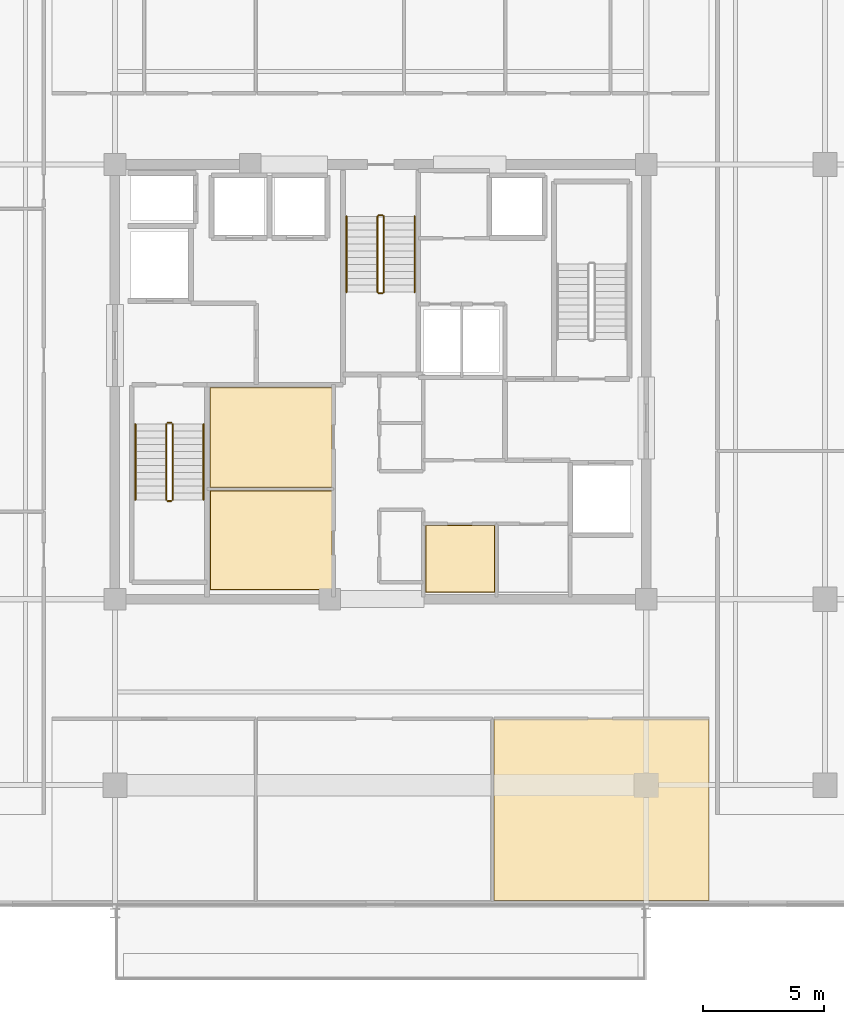
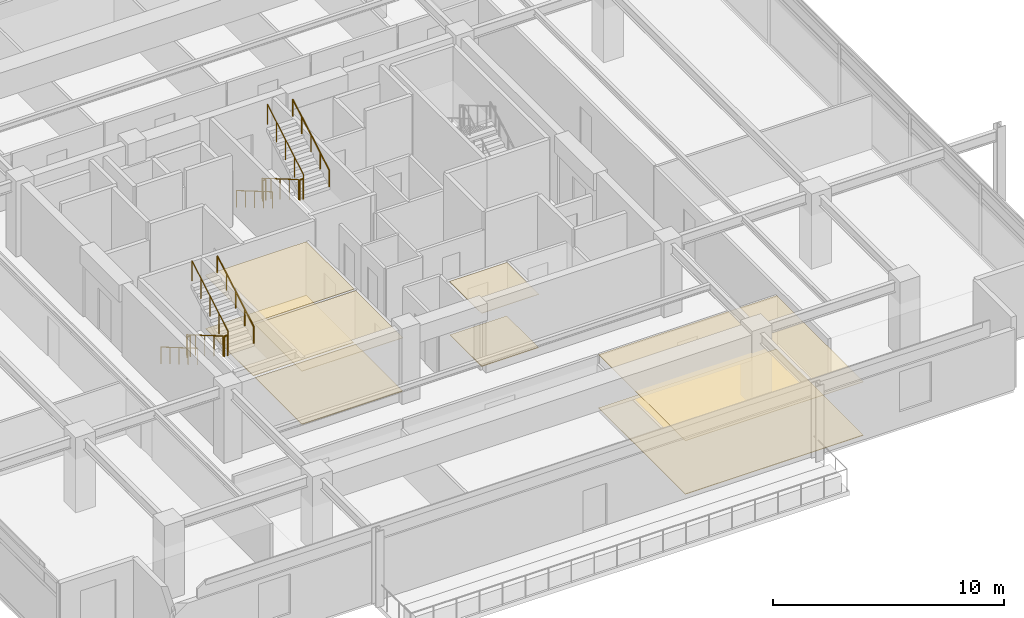
# One storey, part 19 of 21: 12 railings, 8 coverings.
"""IFC4 building model written with IfcOpenShell, lengths in metres."""

from ifc_helpers import new_model, si_unit, direction, frame, origin, origin_2d, place, context, subcontext, project, spatial, polyline, circle, outline, extrude, material, layer, layer_set, type_object, element, save


model = new_model("IFC4")

# Units and contexts
model_context = context("Model", 3, precision=1e-05, world=origin(), true_north=direction((0.0, 1.0)))
body_context = subcontext(model_context, "Body", "Model", "MODEL_VIEW")
ifc_project = project(units=[si_unit("LENGTHUNIT", "METRE"), si_unit("AREAUNIT", "SQUARE_METRE"), si_unit("VOLUMEUNIT", "CUBIC_METRE"), si_unit("PLANEANGLEUNIT", "RADIAN"), si_unit("MASSUNIT", "GRAM", prefix="KILO")], contexts=[model_context])

# Site, building, storey
site_placement = place(None, origin())
site = spatial("IfcSite", under=ifc_project, at=site_placement, CompositionType="ELEMENT")
building_placement = place(site_placement, origin())
building = spatial("IfcBuilding", under=site, at=building_placement, Name="Kovane Verandah Tower", CompositionType="ELEMENT")
storey_placement = place(building_placement, frame((0.0, 0.0, 326.800048828125)))
storey = spatial("IfcBuildingStorey", under=building, at=storey_placement, Name="L76", CompositionType="ELEMENT", Elevation=326.800048828125)

# Coverings
ifc_material_1 = material(Name="Perforated Acoustic Mineral-Fibre Ceiling Tile", Category="gypsum")
ifc_layer_1 = layer(ifc_material_1, 0.02490234375)
ifc_layer_set_1 = layer_set([ifc_layer_1], Name="Perforated Acoustic Mineral-Fibre Ceiling Tile")
covering_type_1 = type_object("IfcCoveringType", Name="CV-CEIL-25", PredefinedType="CEILING", material=ifc_layer_set_1)
covering_1_placement = place(storey_placement, frame((0.0, 0.0, 2.824951171875)))
element("IfcCovering", 1, at=covering_1_placement, inside=storey, type_object=covering_type_1, Name="L76 IT Server Room Acoustic Ceiling", PredefinedType="CEILING", context=body_context, shape_type="SweptSolid", body=[
    extrude(outline(polyline([(32.93505859375, 18.885009765625), (37.9951171875, 18.885009765625), (37.9951171875, 22.9951171875), (32.93505859375, 22.9951171875), (32.93505859375, 18.885009765625)])), origin(), (0.0, 0.0, 1.0), 0.02490234375),
])
covering_2_placement = place(storey_placement, frame((0.0, 0.0, 2.824951171875)))
element("IfcCovering", 2, at=covering_2_placement, inside=storey, type_object=covering_type_1, Name="L76 Telecom MDF Room Acoustic Ceiling", PredefinedType="CEILING", context=body_context, shape_type="SweptSolid", body=[
    extrude(outline(polyline([(32.93505859375, 23.125), (37.9951171875, 23.125), (37.9951171875, 27.264892578125), (32.93505859375, 27.264892578125), (32.93505859375, 23.125)])), origin(), (0.0, 0.0, 1.0), 0.02490234375),
])
covering_3_placement = place(storey_placement, frame((0.0, 0.0, 2.824951171875)))
element("IfcCovering", 3, at=covering_3_placement, inside=storey, type_object=covering_type_1, Name="L76 AV Control Room Acoustic Ceiling", PredefinedType="CEILING", context=body_context, shape_type="SweptSolid", body=[
    extrude(outline(polyline([(41.864990234375, 18.784912109375), (44.735107421875, 18.784912109375), (44.735107421875, 21.56494140625), (41.864990234375, 21.56494140625), (41.864990234375, 18.784912109375)])), origin(), (0.0, 0.0, 1.0), 0.02490234375),
])
covering_4_placement = place(storey_placement, frame((0.0, 0.0, 2.824951171875)))
element("IfcCovering", 4, at=covering_4_placement, inside=storey, type_object=covering_type_1, Name="L76 Meeting Room S3 Acoustic Ceiling", PredefinedType="CEILING", context=body_context, shape_type="SweptSolid", body=[
    extrude(outline(polyline([(44.694091796875, 6.0341796875), (53.60009765625, 6.0341796875), (53.60009765625, 13.550048828125), (44.694091796875, 13.550048828125), (44.694091796875, 6.0341796875)])), origin(), (0.0, 0.0, 1.0), 0.02490234375),
])
ifc_material_2 = material(Name="Polished Terrazzo and Raised-Access Carpet Tile Finish", Category="concrete")
ifc_layer_2 = layer(ifc_material_2, 0.030029296875)
ifc_layer_set_2 = layer_set([ifc_layer_2], Name="Polished Terrazzo and Raised-Access Carpet Tile Finish")
covering_type_2 = type_object("IfcCoveringType", Name="CV-FLOR-30", PredefinedType="FLOORING", material=ifc_layer_set_2)
covering_5_placement = place(storey_placement, origin())
element("IfcCovering", 5, at=covering_5_placement, inside=storey, type_object=covering_type_2, Name="L76 IT Server Room Floor Finish", PredefinedType="FLOORING", context=body_context, shape_type="SweptSolid", body=[
    extrude(outline(polyline([(32.949951171875, 18.89990234375), (37.97998046875, 18.89990234375), (37.97998046875, 22.97998046875), (32.949951171875, 22.97998046875), (32.949951171875, 18.89990234375)])), origin(), (0.0, 0.0, 1.0), 0.030029296875),
])
covering_6_placement = place(storey_placement, origin())
element("IfcCovering", 6, at=covering_6_placement, inside=storey, type_object=covering_type_2, Name="L76 Telecom MDF Room Floor Finish", PredefinedType="FLOORING", context=body_context, shape_type="SweptSolid", body=[
    extrude(outline(polyline([(32.949951171875, 23.139892578125), (37.97998046875, 23.139892578125), (37.97998046875, 27.25), (32.949951171875, 27.25), (32.949951171875, 23.139892578125)])), origin(), (0.0, 0.0, 1.0), 0.030029296875),
])
covering_7_placement = place(storey_placement, origin())
element("IfcCovering", 7, at=covering_7_placement, inside=storey, type_object=covering_type_2, Name="L76 AV Control Room Floor Finish", PredefinedType="FLOORING", context=body_context, shape_type="SweptSolid", body=[
    extrude(outline(polyline([(41.8798828125, 18.800048828125), (44.719970703125, 18.800048828125), (44.719970703125, 21.550048828125), (41.8798828125, 21.550048828125), (41.8798828125, 18.800048828125)])), origin(), (0.0, 0.0, 1.0), 0.030029296875),
])
covering_8_placement = place(storey_placement, origin())
element("IfcCovering", 8, at=covering_8_placement, inside=storey, type_object=covering_type_2, Name="L76 Meeting Room S3 Floor Finish", PredefinedType="FLOORING", context=body_context, shape_type="SweptSolid", body=[
    extrude(outline(polyline([(44.694091796875, 6.0341796875), (53.60009765625, 6.0341796875), (53.60009765625, 13.550048828125), (44.694091796875, 13.550048828125), (44.694091796875, 6.0341796875)])), origin(), (0.0, 0.0, 1.0), 0.030029296875),
])

# Railings
ifc_material_3 = material(Name="Brushed Stainless Steel Handrail", Category="steel")
railing_type_1 = type_object("IfcRailingType", Name="RL-HAND-920", PredefinedType="HANDRAIL", material=ifc_material_3)
railing_1_placement = place(storey_placement, frame((29.85009765625, 25.75, 0.16650390625)))
element("IfcRailing", 9, at=railing_1_placement, inside=storey, type_object=railing_type_1, Name="L76 ST-01 stair handrail 1", PredefinedType="HANDRAIL", context=body_context, shape_type="SweptSolid", body=[
    extrude(circle(Radius=0.02392578125, at=origin_2d()), frame((0.0, 0.0, 0.8759765625), z_axis=(0.0, -0.863210265497, 0.504844567704), x_axis=(1.0, 0.0, 0.0)), (0.0, 0.0, 1.0), 3.6318359375),
    extrude(circle(Radius=0.02099609375, at=origin_2d()), origin(), (0.0, 0.0, 1.0), 0.851806640625),
    extrude(circle(Radius=0.02099609375, at=origin_2d()), frame((0.0, -0.78369140625, 0.45849609375)), (0.0, 0.0, 1.0), 0.851806640625),
    extrude(circle(Radius=0.02099609375, at=origin_2d()), frame((0.0, -1.5673828125, 0.916748046875)), (0.0, 0.0, 1.0), 0.851806640625),
    extrude(circle(Radius=0.02099609375, at=origin_2d()), frame((0.0, -2.351318359375, 1.375)), (0.0, 0.0, 1.0), 0.851806640625),
    extrude(circle(Radius=0.02099609375, at=origin_2d()), frame((0.0, -3.135009765625, 1.83349609375)), (0.0, 0.0, 1.0), 0.851806640625),
])
railing_2_placement = place(storey_placement, frame((32.669921875, 22.614990234375, 2.16650390625)))
element("IfcRailing", 10, at=railing_2_placement, inside=storey, type_object=railing_type_1, Name="L76 ST-01 stair handrail 2", PredefinedType="HANDRAIL", context=body_context, shape_type="SweptSolid", body=[
    extrude(circle(Radius=0.02392578125, at=origin_2d()), frame((0.0, 0.0, 0.8759765625), z_axis=(0.0, 0.863210265497, 0.504844567704), x_axis=(-1.0, 0.0, 0.0)), (0.0, 0.0, 1.0), 3.6318359375),
    extrude(circle(Radius=0.02099609375, at=origin_2d()), origin(), (0.0, 0.0, 1.0), 0.851806640625),
    extrude(circle(Radius=0.02099609375, at=origin_2d()), frame((0.0, 0.78369140625, 0.45849609375)), (0.0, 0.0, 1.0), 0.851806640625),
    extrude(circle(Radius=0.02099609375, at=origin_2d()), frame((0.0, 1.5673828125, 0.916748046875)), (0.0, 0.0, 1.0), 0.851806640625),
    extrude(circle(Radius=0.02099609375, at=origin_2d()), frame((0.0, 2.351318359375, 1.375)), (0.0, 0.0, 1.0), 0.851806640625),
    extrude(circle(Radius=0.02099609375, at=origin_2d()), frame((0.0, 3.135009765625, 1.83349609375)), (0.0, 0.0, 1.0), 0.851806640625),
])
railing_3_placement = place(storey_placement, frame((38.590087890625, 34.35009765625, 0.16650390625)))
element("IfcRailing", 11, at=railing_3_placement, inside=storey, type_object=railing_type_1, Name="L76 ST-03 stair handrail 1", PredefinedType="HANDRAIL", context=body_context, shape_type="SweptSolid", body=[
    extrude(circle(Radius=0.02392578125, at=origin_2d()), frame((0.0, 0.0, 0.8759765625), z_axis=(0.0, -0.863210265497, 0.504844567704), x_axis=(1.0, 0.0, 0.0)), (0.0, 0.0, 1.0), 3.6318359375),
    extrude(circle(Radius=0.02099609375, at=origin_2d()), origin(), (0.0, 0.0, 1.0), 0.851806640625),
    extrude(circle(Radius=0.02099609375, at=origin_2d()), frame((0.0, -0.78369140625, 0.45849609375)), (0.0, 0.0, 1.0), 0.851806640625),
    extrude(circle(Radius=0.02099609375, at=origin_2d()), frame((0.0, -1.5673828125, 0.916748046875)), (0.0, 0.0, 1.0), 0.851806640625),
    extrude(circle(Radius=0.02099609375, at=origin_2d()), frame((0.0, -2.351318359375, 1.375)), (0.0, 0.0, 1.0), 0.851806640625),
    extrude(circle(Radius=0.02099609375, at=origin_2d()), frame((0.0, -3.135009765625, 1.83349609375)), (0.0, 0.0, 1.0), 0.851806640625),
])
railing_4_placement = place(storey_placement, frame((41.409912109375, 31.215087890625, 2.16650390625)))
element("IfcRailing", 12, at=railing_4_placement, inside=storey, type_object=railing_type_1, Name="L76 ST-03 stair handrail 2", PredefinedType="HANDRAIL", context=body_context, shape_type="SweptSolid", body=[
    extrude(circle(Radius=0.02392578125, at=origin_2d()), frame((0.0, 0.0, 0.8759765625), z_axis=(0.0, 0.863210265497, 0.504844567704), x_axis=(-1.0, 0.0, 0.0)), (0.0, 0.0, 1.0), 3.6318359375),
    extrude(circle(Radius=0.02099609375, at=origin_2d()), origin(), (0.0, 0.0, 1.0), 0.851806640625),
    extrude(circle(Radius=0.02099609375, at=origin_2d()), frame((0.0, 0.78369140625, 0.45849609375)), (0.0, 0.0, 1.0), 0.851806640625),
    extrude(circle(Radius=0.02099609375, at=origin_2d()), frame((0.0, 1.5673828125, 0.916748046875)), (0.0, 0.0, 1.0), 0.851806640625),
    extrude(circle(Radius=0.02099609375, at=origin_2d()), frame((0.0, 2.351318359375, 1.375)), (0.0, 0.0, 1.0), 0.851806640625),
    extrude(circle(Radius=0.02099609375, at=origin_2d()), frame((0.0, 3.135009765625, 1.83349609375)), (0.0, 0.0, 1.0), 0.851806640625),
])
ifc_material_4 = material(Name="Painted Steel Stairwell Guardrail", Category="steel")
railing_type_2 = type_object("IfcRailingType", Name="RL-STGUARD-1120", PredefinedType="GUARDRAIL", material=ifc_material_4)
railing_5_placement = place(storey_placement, frame((31.1298828125, 25.75, 0.16650390625)))
element("IfcRailing", 13, at=railing_5_placement, inside=storey, type_object=railing_type_2, Name="L76 ST-01 stair guard 1", PredefinedType="GUARDRAIL", context=body_context, shape_type="SweptSolid", body=[
    extrude(circle(Radius=0.02392578125, at=origin_2d()), frame((0.0, 0.0, 1.076171875), z_axis=(0.0, -0.863210265497, 0.504844567704), x_axis=(1.0, 0.0, 0.0)), (0.0, 0.0, 1.0), 3.6318359375),
    extrude(circle(Radius=0.02099609375, at=origin_2d()), origin(), (0.0, 0.0, 1.0), 1.052001953125),
    extrude(circle(Radius=0.02099609375, at=origin_2d()), frame((0.0, -0.78369140625, 0.45849609375)), (0.0, 0.0, 1.0), 1.052001953125),
    extrude(circle(Radius=0.02099609375, at=origin_2d()), frame((0.0, -1.5673828125, 0.916748046875)), (0.0, 0.0, 1.0), 1.052001953125),
    extrude(circle(Radius=0.02099609375, at=origin_2d()), frame((0.0, -2.351318359375, 1.375)), (0.0, 0.0, 1.0), 1.052001953125),
    extrude(circle(Radius=0.02099609375, at=origin_2d()), frame((0.0, -3.135009765625, 1.83349609375)), (0.0, 0.0, 1.0), 1.052001953125),
])
railing_6_placement = place(storey_placement, frame((31.179931640625, 22.56494140625, 2.0)))
element("IfcRailing", 14, at=railing_6_placement, inside=storey, type_object=railing_type_2, Name="L76 ST-01 stair guard 2", PredefinedType="GUARDRAIL", context=body_context, shape_type="SweptSolid", body=[
    extrude(circle(Radius=0.02392578125, at=origin_2d()), frame((0.0, 0.0, 1.076171875), z_axis=(1.0, 0.0, 0.0), x_axis=(0.0, 1.0, 0.0)), (0.0, 0.0, 1.0), 0.16015625),
    extrude(circle(Radius=0.02099609375, at=origin_2d()), origin(), (0.0, 0.0, 1.0), 1.052001953125),
    extrude(circle(Radius=0.02099609375, at=origin_2d()), frame((0.16015625, 0.0, 0.0)), (0.0, 0.0, 1.0), 1.052001953125),
])
railing_7_placement = place(storey_placement, frame((31.389892578125, 22.614990234375, 2.16650390625)))
element("IfcRailing", 15, at=railing_7_placement, inside=storey, type_object=railing_type_2, Name="L76 ST-01 stair guard 3", PredefinedType="GUARDRAIL", context=body_context, shape_type="SweptSolid", body=[
    extrude(circle(Radius=0.02392578125, at=origin_2d()), frame((0.0, 0.0, 1.076171875), z_axis=(0.0, 0.863210265497, 0.504844567704), x_axis=(-1.0, 0.0, 0.0)), (0.0, 0.0, 1.0), 3.6318359375),
    extrude(circle(Radius=0.02099609375, at=origin_2d()), origin(), (0.0, 0.0, 1.0), 1.052001953125),
    extrude(circle(Radius=0.02099609375, at=origin_2d()), frame((0.0, 0.78369140625, 0.45849609375)), (0.0, 0.0, 1.0), 1.052001953125),
    extrude(circle(Radius=0.02099609375, at=origin_2d()), frame((0.0, 1.5673828125, 0.916748046875)), (0.0, 0.0, 1.0), 1.052001953125),
    extrude(circle(Radius=0.02099609375, at=origin_2d()), frame((0.0, 2.351318359375, 1.375)), (0.0, 0.0, 1.0), 1.052001953125),
    extrude(circle(Radius=0.02099609375, at=origin_2d()), frame((0.0, 3.135009765625, 1.83349609375)), (0.0, 0.0, 1.0), 1.052001953125),
])
railing_8_placement = place(storey_placement, frame((31.179931640625, 25.800048828125, 0.0)))
element("IfcRailing", 16, at=railing_8_placement, inside=storey, type_object=railing_type_2, Name="L76 ST-01 stair guard 4", PredefinedType="GUARDRAIL", context=body_context, shape_type="SweptSolid", body=[
    extrude(circle(Radius=0.02392578125, at=origin_2d()), frame((0.0, 0.0, 1.076171875), z_axis=(1.0, 0.0, 0.0), x_axis=(0.0, 1.0, 0.0)), (0.0, 0.0, 1.0), 0.16015625),
    extrude(circle(Radius=0.02099609375, at=origin_2d()), origin(), (0.0, 0.0, 1.0), 1.052001953125),
    extrude(circle(Radius=0.02099609375, at=origin_2d()), frame((0.16015625, 0.0, 0.0)), (0.0, 0.0, 1.0), 1.052001953125),
])
railing_9_placement = place(storey_placement, frame((39.8701171875, 34.35009765625, 0.16650390625)))
element("IfcRailing", 17, at=railing_9_placement, inside=storey, type_object=railing_type_2, Name="L76 ST-03 stair guard 1", PredefinedType="GUARDRAIL", context=body_context, shape_type="SweptSolid", body=[
    extrude(circle(Radius=0.02392578125, at=origin_2d()), frame((0.0, 0.0, 1.076171875), z_axis=(0.0, -0.863210265497, 0.504844567704), x_axis=(1.0, 0.0, 0.0)), (0.0, 0.0, 1.0), 3.6318359375),
    extrude(circle(Radius=0.02099609375, at=origin_2d()), origin(), (0.0, 0.0, 1.0), 1.052001953125),
    extrude(circle(Radius=0.02099609375, at=origin_2d()), frame((0.0, -0.78369140625, 0.45849609375)), (0.0, 0.0, 1.0), 1.052001953125),
    extrude(circle(Radius=0.02099609375, at=origin_2d()), frame((0.0, -1.5673828125, 0.916748046875)), (0.0, 0.0, 1.0), 1.052001953125),
    extrude(circle(Radius=0.02099609375, at=origin_2d()), frame((0.0, -2.351318359375, 1.375)), (0.0, 0.0, 1.0), 1.052001953125),
    extrude(circle(Radius=0.02099609375, at=origin_2d()), frame((0.0, -3.135009765625, 1.83349609375)), (0.0, 0.0, 1.0), 1.052001953125),
])
railing_10_placement = place(storey_placement, frame((39.919921875, 31.1650390625, 2.0)))
element("IfcRailing", 18, at=railing_10_placement, inside=storey, type_object=railing_type_2, Name="L76 ST-03 stair guard 2", PredefinedType="GUARDRAIL", context=body_context, shape_type="SweptSolid", body=[
    extrude(circle(Radius=0.02392578125, at=origin_2d()), frame((0.0, 0.0, 1.076171875), z_axis=(1.0, 0.0, 0.0), x_axis=(0.0, 1.0, 0.0)), (0.0, 0.0, 1.0), 0.16015625),
    extrude(circle(Radius=0.02099609375, at=origin_2d()), origin(), (0.0, 0.0, 1.0), 1.052001953125),
    extrude(circle(Radius=0.02099609375, at=origin_2d()), frame((0.16015625, 0.0, 0.0)), (0.0, 0.0, 1.0), 1.052001953125),
])
railing_11_placement = place(storey_placement, frame((40.1298828125, 31.215087890625, 2.16650390625)))
element("IfcRailing", 19, at=railing_11_placement, inside=storey, type_object=railing_type_2, Name="L76 ST-03 stair guard 3", PredefinedType="GUARDRAIL", context=body_context, shape_type="SweptSolid", body=[
    extrude(circle(Radius=0.02392578125, at=origin_2d()), frame((0.0, 0.0, 1.076171875), z_axis=(0.0, 0.863210265497, 0.504844567704), x_axis=(-1.0, 0.0, 0.0)), (0.0, 0.0, 1.0), 3.6318359375),
    extrude(circle(Radius=0.02099609375, at=origin_2d()), origin(), (0.0, 0.0, 1.0), 1.052001953125),
    extrude(circle(Radius=0.02099609375, at=origin_2d()), frame((0.0, 0.78369140625, 0.45849609375)), (0.0, 0.0, 1.0), 1.052001953125),
    extrude(circle(Radius=0.02099609375, at=origin_2d()), frame((0.0, 1.5673828125, 0.916748046875)), (0.0, 0.0, 1.0), 1.052001953125),
    extrude(circle(Radius=0.02099609375, at=origin_2d()), frame((0.0, 2.351318359375, 1.375)), (0.0, 0.0, 1.0), 1.052001953125),
    extrude(circle(Radius=0.02099609375, at=origin_2d()), frame((0.0, 3.135009765625, 1.83349609375)), (0.0, 0.0, 1.0), 1.052001953125),
])
railing_12_placement = place(storey_placement, frame((39.919921875, 34.39990234375, 0.0)))
element("IfcRailing", 20, at=railing_12_placement, inside=storey, type_object=railing_type_2, Name="L76 ST-03 stair guard 4", PredefinedType="GUARDRAIL", context=body_context, shape_type="SweptSolid", body=[
    extrude(circle(Radius=0.02392578125, at=origin_2d()), frame((0.0, 0.0, 1.076171875), z_axis=(1.0, 0.0, 0.0), x_axis=(0.0, 1.0, 0.0)), (0.0, 0.0, 1.0), 0.16015625),
    extrude(circle(Radius=0.02099609375, at=origin_2d()), origin(), (0.0, 0.0, 1.0), 1.052001953125),
    extrude(circle(Radius=0.02099609375, at=origin_2d()), frame((0.16015625, 0.0, 0.0)), (0.0, 0.0, 1.0), 1.052001953125),
])

save(model, "model.ifc")
